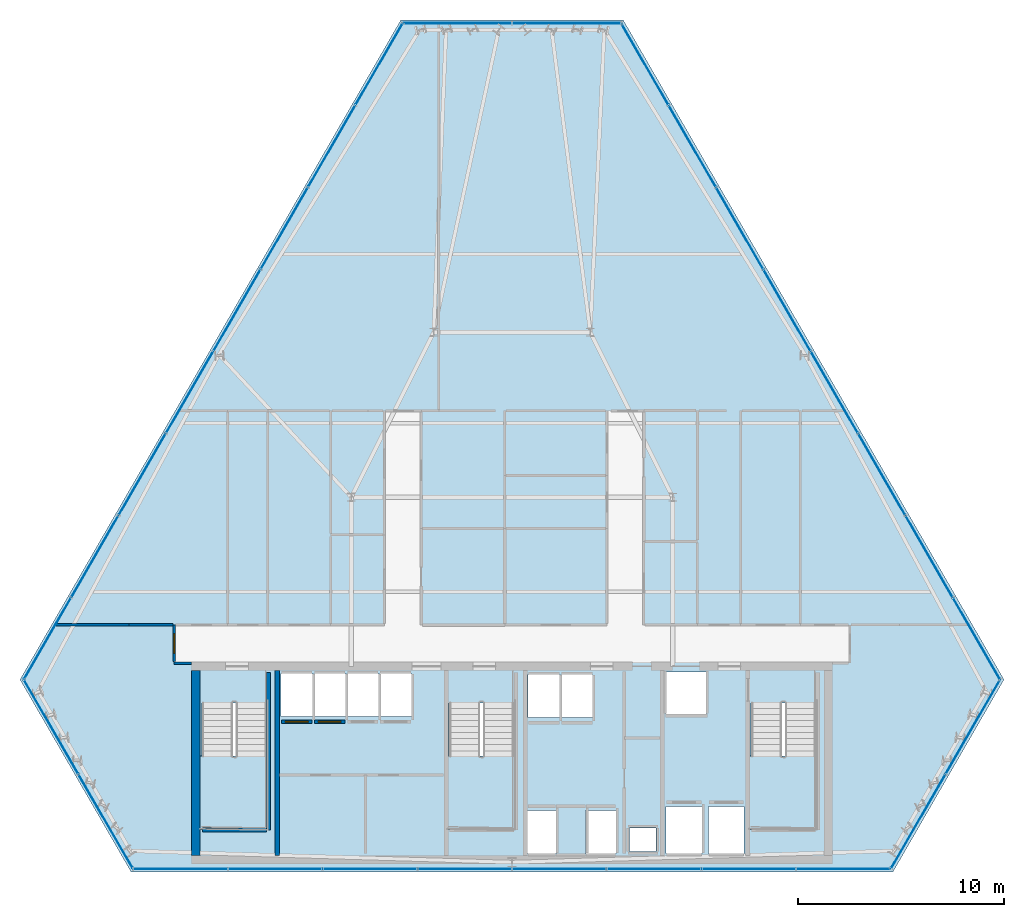
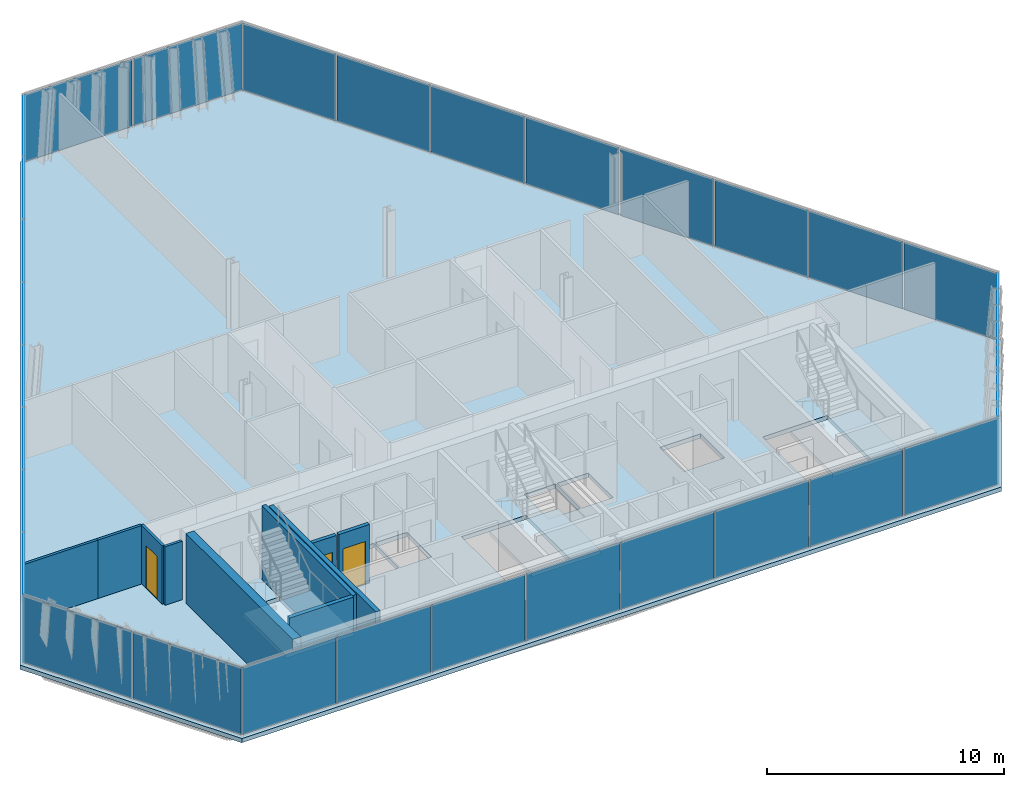
# One storey, part 26 of 33: 30 plates, 10 walls, 4 slabs, 3 doors, 3 openings, 9 elements without a shape of their own.
"""IFC4 building model written with IfcOpenShell, lengths in metres."""

from ifc_helpers import new_model, si_unit, direction, frame, frame_2d, origin, origin_2d, place, context, subcontext, project, spatial, polyline, rectangle, outline, extrude, material, layer, layer_set, type_object, element, fill, aggregate, save


model = new_model("IFC4")

# Units and contexts
model_context = context("Model", 3, precision=1e-05, world=origin(), true_north=direction((0.0, 1.0)))
body_context = subcontext(model_context, "Body", "Model", "MODEL_VIEW")
ifc_project = project(units=[si_unit("LENGTHUNIT", "METRE"), si_unit("AREAUNIT", "SQUARE_METRE"), si_unit("VOLUMEUNIT", "CUBIC_METRE"), si_unit("PLANEANGLEUNIT", "RADIAN"), si_unit("MASSUNIT", "GRAM", prefix="KILO")], contexts=[model_context])

# Site, building, storey
site_placement = place(None, origin())
site = spatial("IfcSite", under=ifc_project, at=site_placement, CompositionType="ELEMENT")
building_placement = place(site_placement, origin())
building = spatial("IfcBuilding", under=site, at=building_placement, Name="Ndaravel Arena Tower", CompositionType="ELEMENT")
storey_placement = place(building_placement, frame((0.0, 0.0, 168.800048828125)))
storey = spatial("IfcBuildingStorey", under=building, at=storey_placement, Name="L40", CompositionType="ELEMENT", Elevation=168.800048828125)

# Curtain wall, plate
ifc_material_1 = material(Name="Aluminium", Category="aluminium")
ifc_layer_1 = layer(ifc_material_1, 0.179931640625)
ifc_layer_set_1 = layer_set([ifc_layer_1], Name="Aluminium")
curtain_wall_type_1 = type_object("IfcCurtainWallType", Name="CW-SYS-01", PredefinedType="NOTDEFINED", material=ifc_layer_set_1)
curtain_wall_1_placement = place(storey_placement, origin())
curtain_wall_1 = element("IfcCurtainWall", 1, at=curtain_wall_1_placement, inside=storey, type_object=curtain_wall_type_1, Name="L40 Faceted Crystal Curtain Wall CW-L40-E02", PredefinedType="NOTDEFINED")
ifc_material_2 = material(Name="Glazing", Category="glass")
ifc_layer_2 = layer(ifc_material_2, 0.035888671875)
ifc_layer_set_2 = layer_set([ifc_layer_2], Name="Glazing")
plate_type_1 = type_object("IfcPlateType", Name="PLT-CW-OPVENT", PredefinedType="CURTAIN_PANEL", material=ifc_layer_set_2)
plate_1_placement = place(storey_placement, frame((64.369140625, 12.05126953125, 0.06005859375), z_axis=(0.0, 0.0, 1.0), x_axis=(0.5, 0.866025403784, 0.0)))
plate_1 = element("IfcPlate", 2, at=plate_1_placement, type_object=plate_type_1, Name="CW-L40-E02 Operable Vent Sash Panel 02", PredefinedType="CURTAIN_PANEL", context=body_context, shape_type="SweptSolid", body=[
    extrude(rectangle(XDim=5.224853515625, YDim=0.035888671875, at=origin_2d()), origin(), (0.0, 0.0, 1.0), 3.4599609375),
])

curtain_wall_2_placement = place(storey_placement, origin())
curtain_wall_2 = element("IfcCurtainWall", 3, at=curtain_wall_2_placement, inside=storey, type_object=curtain_wall_type_1, Name="L40 Faceted Crystal Curtain Wall CW-L40-E04", PredefinedType="NOTDEFINED")
plate_2_placement = place(storey_placement, frame((39.347412109375, 46.20166015625, 0.06005859375), z_axis=(0.0, 0.0, 1.0), x_axis=(-1.0, 0.0, 0.0)))
plate_2 = element("IfcPlate", 4, at=plate_2_placement, type_object=plate_type_1, Name="CW-L40-E04 Operable Vent Sash Panel 02", PredefinedType="CURTAIN_PANEL", context=body_context, shape_type="SweptSolid", body=[
    extrude(rectangle(XDim=5.224853515625, YDim=0.035888671875, at=origin_2d()), origin(), (0.0, 0.0, 1.0), 3.4599609375),
])

ifc_material_3 = material(Name="Aluminium", Category="aluminium")
ifc_layer_3 = layer(ifc_material_3, 0.179931640625)
ifc_layer_set_3 = layer_set([ifc_layer_3], Name="Aluminium")
curtain_wall_type_2 = type_object("IfcCurtainWallType", Name="CW-SYS-02", PredefinedType="NOTDEFINED", material=ifc_layer_set_3)
curtain_wall_3_placement = place(storey_placement, origin())
curtain_wall_3 = element("IfcCurtainWall", 5, at=curtain_wall_3_placement, inside=storey, type_object=curtain_wall_type_2, Name="L40 Faceted Crystal Curtain Wall CW-L40-E06", PredefinedType="NOTDEFINED")
plate_3_placement = place(storey_placement, frame((22.283203125, 7.45703125, 0.06005859375), z_axis=(0.0, 0.0, 1.0), x_axis=(0.5, -0.866025403784, 0.0)))
plate_3 = element("IfcPlate", 6, at=plate_3_placement, type_object=plate_type_1, Name="CW-L40-E06 Operable Vent Sash Panel 02", PredefinedType="CURTAIN_PANEL", context=body_context, shape_type="SweptSolid", body=[
    extrude(rectangle(XDim=5.224853515625, YDim=0.035888671875, at=origin_2d()), origin(), (0.0, 0.0, 1.0), 3.4599609375),
])

# Plate
ifc_material_4 = material(Name="Glazing", Category="glass")
ifc_layer_4 = layer(ifc_material_4, 0.031982421875)
ifc_layer_set_4 = layer_set([ifc_layer_4], Name="Glazing")
plate_type_2 = type_object("IfcPlateType", Name="PLT-GLZ-FRIT35", PredefinedType="CURTAIN_PANEL", material=ifc_layer_set_4)
plate_4_placement = place(storey_placement, frame((61.716796875, 7.45703125, 0.06005859375), z_axis=(0.0, 0.0, 1.0), x_axis=(0.5, 0.866025403784, 0.0)))
plate_4 = element("IfcPlate", 7, at=plate_4_placement, type_object=plate_type_2, Name="CW-L40-E02 Vision Glass Panel 01", PredefinedType="CURTAIN_PANEL", context=body_context, shape_type="SweptSolid", body=[
    extrude(rectangle(XDim=5.224853515625, YDim=0.035888671875, at=origin_2d()), origin(), (0.0, 0.0, 1.0), 3.4599609375),
])

aggregate(curtain_wall_1, [plate_4, plate_1])

plate_5_placement = place(storey_placement, frame((44.652587890625, 46.20166015625, 0.06005859375), z_axis=(0.0, 0.0, 1.0), x_axis=(-1.0, 0.0, 0.0)))
plate_5 = element("IfcPlate", 8, at=plate_5_placement, type_object=plate_type_2, Name="CW-L40-E04 Vision Glass Panel 01", PredefinedType="CURTAIN_PANEL", context=body_context, shape_type="SweptSolid", body=[
    extrude(rectangle(XDim=5.224853515625, YDim=0.035888671875, at=origin_2d()), origin(), (0.0, 0.0, 1.0), 3.4599609375),
])

aggregate(curtain_wall_2, [plate_5, plate_2])

ifc_material_5 = material(Name="Glazing", Category="glass")
ifc_layer_5 = layer(ifc_material_5, 0.035888671875)
ifc_layer_set_5 = layer_set([ifc_layer_5], Name="Glazing")
plate_type_3 = type_object("IfcPlateType", Name="PLT-GLZ-FRIT55", PredefinedType="CURTAIN_PANEL", material=ifc_layer_set_5)
plate_6_placement = place(storey_placement, frame((19.630859375, 12.05126953125, 0.06005859375), z_axis=(0.0, 0.0, 1.0), x_axis=(0.5, -0.866025403784, 0.0)))
plate_6 = element("IfcPlate", 9, at=plate_6_placement, type_object=plate_type_3, Name="CW-L40-E06 Vision Glass Panel 01", PredefinedType="CURTAIN_PANEL", context=body_context, shape_type="SweptSolid", body=[
    extrude(rectangle(XDim=5.224853515625, YDim=0.035888671875, at=origin_2d()), origin(), (0.0, 0.0, 1.0), 3.4599609375),
])

aggregate(curtain_wall_3, [plate_6, plate_3])

# Curtain wall, plates
ifc_material_6 = material(Name="Aluminium", Category="aluminium")
ifc_layer_6 = layer(ifc_material_6, 0.179931640625)
ifc_layer_set_6 = layer_set([ifc_layer_6], Name="Aluminium")
curtain_wall_type_3 = type_object("IfcCurtainWallType", Name="CW-SYS-03", PredefinedType="NOTDEFINED", material=ifc_layer_set_6)
curtain_wall_4_placement = place(storey_placement, origin())
curtain_wall_4 = element("IfcCurtainWall", 10, at=curtain_wall_4_placement, inside=storey, type_object=curtain_wall_type_3, Name="L40 Faceted Crystal Curtain Wall CW-L40-E01", PredefinedType="NOTDEFINED")
ifc_material_7 = material(Name="Glazing", Category="glass")
ifc_layer_7 = layer(ifc_material_7, 0.0400390625)
ifc_layer_set_7 = layer_set([ifc_layer_7], Name="Glazing")
plate_type_4 = type_object("IfcPlateType", Name="PLT-GLZ-LOWIRON", PredefinedType="CURTAIN_PANEL", material=ifc_layer_set_7)
plate_7_placement = place(storey_placement, frame((25.908203125, 5.159912109375, 0.06005859375), z_axis=(0.0, 0.0, 1.0), x_axis=(1.0, 0.0, 0.0)))
plate_7 = element("IfcPlate", 11, at=plate_7_placement, type_object=plate_type_4, Name="CW-L40-E01 Vision Glass Panel 01", PredefinedType="CURTAIN_PANEL", context=body_context, shape_type="SweptSolid", body=[
    extrude(rectangle(XDim=4.517578125, YDim=0.035888671875, at=origin_2d()), origin(), (0.0, 0.0, 1.0), 3.4599609375),
])
plate_8_placement = place(storey_placement, frame((30.505859375, 5.159912109375, 0.06005859375), z_axis=(0.0, 0.0, 1.0), x_axis=(1.0, 0.0, 0.0)))
plate_8 = element("IfcPlate", 12, at=plate_8_placement, type_object=plate_type_4, Name="CW-L40-E01 Vision Glass Panel 02", PredefinedType="CURTAIN_PANEL", context=body_context, shape_type="SweptSolid", body=[
    extrude(rectangle(XDim=4.517578125, YDim=0.035888671875, at=origin_2d()), origin(), (0.0, 0.0, 1.0), 3.4599609375),
])
plate_9_placement = place(storey_placement, frame((35.103515625, 5.159912109375, 0.06005859375), z_axis=(0.0, 0.0, 1.0), x_axis=(1.0, 0.0, 0.0)))
plate_9 = element("IfcPlate", 13, at=plate_9_placement, type_object=plate_type_4, Name="CW-L40-E01 Vision Glass Panel 03", PredefinedType="CURTAIN_PANEL", context=body_context, shape_type="SweptSolid", body=[
    extrude(rectangle(XDim=4.517578125, YDim=0.035888671875, at=origin_2d()), origin(), (0.0, 0.0, 1.0), 3.4599609375),
])
plate_10_placement = place(storey_placement, frame((39.701171875, 5.159912109375, 0.06005859375), z_axis=(0.0, 0.0, 1.0), x_axis=(1.0, 0.0, 0.0)))
plate_10 = element("IfcPlate", 14, at=plate_10_placement, type_object=plate_type_4, Name="CW-L40-E01 Vision Glass Panel 04", PredefinedType="CURTAIN_PANEL", context=body_context, shape_type="SweptSolid", body=[
    extrude(rectangle(XDim=4.517578125, YDim=0.035888671875, at=origin_2d()), origin(), (0.0, 0.0, 1.0), 3.4599609375),
])
plate_11_placement = place(storey_placement, frame((44.298828125, 5.159912109375, 0.06005859375), z_axis=(0.0, 0.0, 1.0), x_axis=(1.0, 0.0, 0.0)))
plate_11 = element("IfcPlate", 15, at=plate_11_placement, type_object=plate_type_4, Name="CW-L40-E01 Vision Glass Panel 05", PredefinedType="CURTAIN_PANEL", context=body_context, shape_type="SweptSolid", body=[
    extrude(rectangle(XDim=4.517578125, YDim=0.035888671875, at=origin_2d()), origin(), (0.0, 0.0, 1.0), 3.4599609375),
])
plate_12_placement = place(storey_placement, frame((48.896484375, 5.159912109375, 0.06005859375), z_axis=(0.0, 0.0, 1.0), x_axis=(1.0, 0.0, 0.0)))
plate_12 = element("IfcPlate", 16, at=plate_12_placement, type_object=plate_type_4, Name="CW-L40-E01 Vision Glass Panel 06", PredefinedType="CURTAIN_PANEL", context=body_context, shape_type="SweptSolid", body=[
    extrude(rectangle(XDim=4.517578125, YDim=0.035888671875, at=origin_2d()), origin(), (0.0, 0.0, 1.0), 3.4599609375),
])
plate_13_placement = place(storey_placement, frame((53.494140625, 5.159912109375, 0.06005859375), z_axis=(0.0, 0.0, 1.0), x_axis=(1.0, 0.0, 0.0)))
plate_13 = element("IfcPlate", 17, at=plate_13_placement, type_object=plate_type_4, Name="CW-L40-E01 Vision Glass Panel 07", PredefinedType="CURTAIN_PANEL", context=body_context, shape_type="SweptSolid", body=[
    extrude(rectangle(XDim=4.517578125, YDim=0.035888671875, at=origin_2d()), origin(), (0.0, 0.0, 1.0), 3.4599609375),
])
plate_14_placement = place(storey_placement, frame((58.091796875, 5.159912109375, 0.06005859375), z_axis=(0.0, 0.0, 1.0), x_axis=(1.0, 0.0, 0.0)))
plate_14 = element("IfcPlate", 18, at=plate_14_placement, type_object=plate_type_4, Name="CW-L40-E01 Vision Glass Panel 08", PredefinedType="CURTAIN_PANEL", context=body_context, shape_type="SweptSolid", body=[
    extrude(rectangle(XDim=4.517578125, YDim=0.035888671875, at=origin_2d()), origin(), (0.0, 0.0, 1.0), 3.4599609375),
])
aggregate(curtain_wall_4, [plate_7, plate_8, plate_9, plate_10, plate_11, plate_12, plate_13, plate_14])

curtain_wall_5_placement = place(storey_placement, origin())
curtain_wall_5 = element("IfcCurtainWall", 19, at=curtain_wall_5_placement, inside=storey, type_object=curtain_wall_type_3, Name="L40 Faceted Crystal Curtain Wall CW-L40-E03", PredefinedType="NOTDEFINED")
plate_15_placement = place(storey_placement, frame((64.5458984375, 16.339111328125, 0.06005859375), z_axis=(0.0, 0.0, 1.0), x_axis=(-0.5, 0.866025403784, 0.0)))
plate_15 = element("IfcPlate", 20, at=plate_15_placement, type_object=plate_type_4, Name="CW-L40-E03 Vision Glass Panel 01", PredefinedType="CURTAIN_PANEL", context=body_context, shape_type="SweptSolid", body=[
    extrude(rectangle(XDim=4.517578125, YDim=0.035888671875, at=origin_2d()), origin(), (0.0, 0.0, 1.0), 3.4599609375),
])
plate_16_placement = place(storey_placement, frame((62.247314453125, 20.32080078125, 0.06005859375), z_axis=(0.0, 0.0, 1.0), x_axis=(-0.5, 0.866025403784, 0.0)))
plate_16 = element("IfcPlate", 21, at=plate_16_placement, type_object=plate_type_4, Name="CW-L40-E03 Vision Glass Panel 02", PredefinedType="CURTAIN_PANEL", context=body_context, shape_type="SweptSolid", body=[
    extrude(rectangle(XDim=4.517578125, YDim=0.035888671875, at=origin_2d()), origin(), (0.0, 0.0, 1.0), 3.4599609375),
])
plate_17_placement = place(storey_placement, frame((59.948486328125, 24.302490234375, 0.06005859375), z_axis=(0.0, 0.0, 1.0), x_axis=(-0.5, 0.866025403784, 0.0)))
plate_17 = element("IfcPlate", 22, at=plate_17_placement, type_object=plate_type_4, Name="CW-L40-E03 Vision Glass Panel 03", PredefinedType="CURTAIN_PANEL", context=body_context, shape_type="SweptSolid", body=[
    extrude(rectangle(XDim=4.517578125, YDim=0.035888671875, at=origin_2d()), origin(), (0.0, 0.0, 1.0), 3.4599609375),
])
plate_18_placement = place(storey_placement, frame((57.649658203125, 28.2841796875, 0.06005859375), z_axis=(0.0, 0.0, 1.0), x_axis=(-0.5, 0.866025403784, 0.0)))
plate_18 = element("IfcPlate", 23, at=plate_18_placement, type_object=plate_type_4, Name="CW-L40-E03 Vision Glass Panel 04", PredefinedType="CURTAIN_PANEL", context=body_context, shape_type="SweptSolid", body=[
    extrude(rectangle(XDim=4.517578125, YDim=0.035888671875, at=origin_2d()), origin(), (0.0, 0.0, 1.0), 3.4599609375),
])
plate_19_placement = place(storey_placement, frame((55.3505859375, 32.265869140625, 0.06005859375), z_axis=(0.0, 0.0, 1.0), x_axis=(-0.5, 0.866025403784, 0.0)))
plate_19 = element("IfcPlate", 24, at=plate_19_placement, type_object=plate_type_4, Name="CW-L40-E03 Vision Glass Panel 05", PredefinedType="CURTAIN_PANEL", context=body_context, shape_type="SweptSolid", body=[
    extrude(rectangle(XDim=4.517578125, YDim=0.035888671875, at=origin_2d()), origin(), (0.0, 0.0, 1.0), 3.4599609375),
])
plate_20_placement = place(storey_placement, frame((53.052001953125, 36.24755859375, 0.06005859375), z_axis=(0.0, 0.0, 1.0), x_axis=(-0.5, 0.866025403784, 0.0)))
plate_20 = element("IfcPlate", 25, at=plate_20_placement, type_object=plate_type_4, Name="CW-L40-E03 Vision Glass Panel 06", PredefinedType="CURTAIN_PANEL", context=body_context, shape_type="SweptSolid", body=[
    extrude(rectangle(XDim=4.517578125, YDim=0.035888671875, at=origin_2d()), origin(), (0.0, 0.0, 1.0), 3.4599609375),
])
plate_21_placement = place(storey_placement, frame((50.753173828125, 40.229248046875, 0.06005859375), z_axis=(0.0, 0.0, 1.0), x_axis=(-0.5, 0.866025403784, 0.0)))
plate_21 = element("IfcPlate", 26, at=plate_21_placement, type_object=plate_type_4, Name="CW-L40-E03 Vision Glass Panel 07", PredefinedType="CURTAIN_PANEL", context=body_context, shape_type="SweptSolid", body=[
    extrude(rectangle(XDim=4.517578125, YDim=0.035888671875, at=origin_2d()), origin(), (0.0, 0.0, 1.0), 3.4599609375),
])
plate_22_placement = place(storey_placement, frame((48.454345703125, 44.2109375, 0.06005859375), z_axis=(0.0, 0.0, 1.0), x_axis=(-0.5, 0.866025403784, 0.0)))
plate_22 = element("IfcPlate", 27, at=plate_22_placement, type_object=plate_type_4, Name="CW-L40-E03 Vision Glass Panel 08", PredefinedType="CURTAIN_PANEL", context=body_context, shape_type="SweptSolid", body=[
    extrude(rectangle(XDim=4.517578125, YDim=0.035888671875, at=origin_2d()), origin(), (0.0, 0.0, 1.0), 3.4599609375),
])
aggregate(curtain_wall_5, [plate_15, plate_16, plate_17, plate_18, plate_19, plate_20, plate_21, plate_22])

curtain_wall_6_placement = place(storey_placement, origin())
curtain_wall_6 = element("IfcCurtainWall", 28, at=curtain_wall_6_placement, inside=storey, type_object=curtain_wall_type_3, Name="L40 Faceted Crystal Curtain Wall CW-L40-E05", PredefinedType="NOTDEFINED")
plate_23_placement = place(storey_placement, frame((35.545654296875, 44.2109375, 0.06005859375), z_axis=(0.0, 0.0, 1.0), x_axis=(-0.5, -0.866025403784, 0.0)))
plate_23 = element("IfcPlate", 29, at=plate_23_placement, type_object=plate_type_4, Name="CW-L40-E05 Vision Glass Panel 01", PredefinedType="CURTAIN_PANEL", context=body_context, shape_type="SweptSolid", body=[
    extrude(rectangle(XDim=4.517578125, YDim=0.035888671875, at=origin_2d()), origin(), (0.0, 0.0, 1.0), 3.4599609375),
])
plate_24_placement = place(storey_placement, frame((33.246826171875, 40.229248046875, 0.06005859375), z_axis=(0.0, 0.0, 1.0), x_axis=(-0.5, -0.866025403784, 0.0)))
plate_24 = element("IfcPlate", 30, at=plate_24_placement, type_object=plate_type_4, Name="CW-L40-E05 Vision Glass Panel 02", PredefinedType="CURTAIN_PANEL", context=body_context, shape_type="SweptSolid", body=[
    extrude(rectangle(XDim=4.517578125, YDim=0.035888671875, at=origin_2d()), origin(), (0.0, 0.0, 1.0), 3.4599609375),
])
plate_25_placement = place(storey_placement, frame((30.947998046875, 36.24755859375, 0.06005859375), z_axis=(0.0, 0.0, 1.0), x_axis=(-0.5, -0.866025403784, 0.0)))
plate_25 = element("IfcPlate", 31, at=plate_25_placement, type_object=plate_type_4, Name="CW-L40-E05 Vision Glass Panel 03", PredefinedType="CURTAIN_PANEL", context=body_context, shape_type="SweptSolid", body=[
    extrude(rectangle(XDim=4.517578125, YDim=0.035888671875, at=origin_2d()), origin(), (0.0, 0.0, 1.0), 3.4599609375),
])
plate_26_placement = place(storey_placement, frame((28.6494140625, 32.265869140625, 0.06005859375), z_axis=(0.0, 0.0, 1.0), x_axis=(-0.5, -0.866025403784, 0.0)))
plate_26 = element("IfcPlate", 32, at=plate_26_placement, type_object=plate_type_4, Name="CW-L40-E05 Vision Glass Panel 04", PredefinedType="CURTAIN_PANEL", context=body_context, shape_type="SweptSolid", body=[
    extrude(rectangle(XDim=4.517578125, YDim=0.035888671875, at=origin_2d()), origin(), (0.0, 0.0, 1.0), 3.4599609375),
])
plate_27_placement = place(storey_placement, frame((26.350341796875, 28.2841796875, 0.06005859375), z_axis=(0.0, 0.0, 1.0), x_axis=(-0.5, -0.866025403784, 0.0)))
plate_27 = element("IfcPlate", 33, at=plate_27_placement, type_object=plate_type_4, Name="CW-L40-E05 Vision Glass Panel 05", PredefinedType="CURTAIN_PANEL", context=body_context, shape_type="SweptSolid", body=[
    extrude(rectangle(XDim=4.517578125, YDim=0.035888671875, at=origin_2d()), origin(), (0.0, 0.0, 1.0), 3.4599609375),
])
plate_28_placement = place(storey_placement, frame((24.051513671875, 24.302490234375, 0.06005859375), z_axis=(0.0, 0.0, 1.0), x_axis=(-0.5, -0.866025403784, 0.0)))
plate_28 = element("IfcPlate", 34, at=plate_28_placement, type_object=plate_type_4, Name="CW-L40-E05 Vision Glass Panel 06", PredefinedType="CURTAIN_PANEL", context=body_context, shape_type="SweptSolid", body=[
    extrude(rectangle(XDim=4.517578125, YDim=0.035888671875, at=origin_2d()), origin(), (0.0, 0.0, 1.0), 3.4599609375),
])
plate_29_placement = place(storey_placement, frame((21.752685546875, 20.32080078125, 0.06005859375), z_axis=(0.0, 0.0, 1.0), x_axis=(-0.5, -0.866025403784, 0.0)))
plate_29 = element("IfcPlate", 35, at=plate_29_placement, type_object=plate_type_4, Name="CW-L40-E05 Vision Glass Panel 07", PredefinedType="CURTAIN_PANEL", context=body_context, shape_type="SweptSolid", body=[
    extrude(rectangle(XDim=4.517578125, YDim=0.035888671875, at=origin_2d()), origin(), (0.0, 0.0, 1.0), 3.4599609375),
])
plate_30_placement = place(storey_placement, frame((19.4541015625, 16.339111328125, 0.06005859375), z_axis=(0.0, 0.0, 1.0), x_axis=(-0.5, -0.866025403784, 0.0)))
plate_30 = element("IfcPlate", 36, at=plate_30_placement, type_object=plate_type_4, Name="CW-L40-E05 Vision Glass Panel 08", PredefinedType="CURTAIN_PANEL", context=body_context, shape_type="SweptSolid", body=[
    extrude(rectangle(XDim=4.517578125, YDim=0.035888671875, at=origin_2d()), origin(), (0.0, 0.0, 1.0), 3.4599609375),
])
aggregate(curtain_wall_6, [plate_23, plate_24, plate_25, plate_26, plate_27, plate_28, plate_29, plate_30])

# Stair, slab
ifc_material_8 = material(Name="Concrete C40/50", Category="concrete")
stair_type = type_object("IfcStairType", Name="STAIR-CORE-HT", PredefinedType="HALF_TURN_STAIR", material=ifc_material_8)
stair_1_placement = place(storey_placement, origin())
stair_1 = element("IfcStair", 37, at=stair_1_placement, inside=storey, type_object=stair_type, Name="L40 ST-1", PredefinedType="HALF_TURN_STAIR")
ifc_material_9 = material(Name="Concrete C40/50", Category="concrete")
ifc_layer_8 = layer(ifc_material_9, 0.199951171875)
ifc_layer_set_8 = layer_set([ifc_layer_8], Name="Concrete C40/50")
slab_type_1 = type_object("IfcSlabType", Name="SLAB-STAIR-LANDING", PredefinedType="LANDING", material=ifc_layer_set_8)
slab_1_placement = place(storey_placement, frame((0.0, 0.0, 1.699951171875)))
slab_1 = element("IfcSlab", 38, at=slab_1_placement, type_object=slab_type_1, Name="ST-1 landing 1", PredefinedType="LANDING", context=body_context, shape_type="SweptSolid", body=[
    extrude(outline(polyline([(26.81005859375, 10.6298828125), (26.81005859375, 7.070068359375), (30.169921875, 7.070068359375), (30.169921875, 10.6298828125), (26.81005859375, 10.6298828125)])), origin(), (0.0, 0.0, 1.0), 0.199951171875),
])
aggregate(stair_1, [slab_1])

stair_2_placement = place(storey_placement, origin())
stair_2 = element("IfcStair", 39, at=stair_2_placement, inside=storey, type_object=stair_type, Name="L40 ST-2", PredefinedType="HALF_TURN_STAIR")
slab_2_placement = place(storey_placement, frame((0.0, 0.0, 1.699951171875)))
slab_2 = element("IfcSlab", 40, at=slab_2_placement, type_object=slab_type_1, Name="ST-2 landing 1", PredefinedType="LANDING", context=body_context, shape_type="SweptSolid", body=[
    extrude(outline(polyline([(38.81005859375, 10.6298828125), (38.81005859375, 7.070068359375), (42.169921875, 7.070068359375), (42.169921875, 10.6298828125), (38.81005859375, 10.6298828125)])), origin(), (0.0, 0.0, 1.0), 0.199951171875),
])
aggregate(stair_2, [slab_2])

stair_3_placement = place(storey_placement, origin())
stair_3 = element("IfcStair", 41, at=stair_3_placement, inside=storey, type_object=stair_type, Name="L40 ST-3", PredefinedType="HALF_TURN_STAIR")
slab_3_placement = place(storey_placement, frame((0.0, 0.0, 1.699951171875)))
slab_3 = element("IfcSlab", 42, at=slab_3_placement, type_object=slab_type_1, Name="ST-3 landing 1", PredefinedType="LANDING", context=body_context, shape_type="SweptSolid", body=[
    extrude(outline(polyline([(53.4599609375, 10.6298828125), (53.4599609375, 7.070068359375), (56.820068359375, 7.070068359375), (56.820068359375, 10.6298828125), (53.4599609375, 10.6298828125)])), origin(), (0.0, 0.0, 1.0), 0.199951171875),
])
aggregate(stair_3, [slab_3])

# Slab
ifc_material_10 = material(Name="Concrete C40/50", Category="concrete")
ifc_layer_9 = layer(ifc_material_10, 0.219970703125)
ifc_layer_set_9 = layer_set([ifc_layer_9], Name="Concrete C40/50")
slab_type_2 = type_object("IfcSlabType", Name="SLAB-TWR-220", PredefinedType="FLOOR", material=ifc_layer_set_9)
slab_4_placement = place(storey_placement, frame((0.0, 0.0, -0.219970703125)))
element("IfcSlab", 43, at=slab_4_placement, inside=storey, type_object=slab_type_2, Name="L40 Structural Floor Slab", PredefinedType="FLOOR", context=body_context, shape_type="SweptSolid", body=[
    extrude(outline(polyline([(18.119873046875, 14.348388671875), (23.51708984375, 5.0), (60.48291015625, 5.0), (65.880126953125, 14.348388671875), (47.397216796875, 46.36181640625), (36.602783203125, 46.36181640625), (18.119873046875, 14.348388671875)]), holes=[polyline([(26.949951171875, 13.215087890625), (26.949951171875, 7.14990234375), (30.090087890625, 7.14990234375), (30.090087890625, 13.215087890625), (26.949951171875, 13.215087890625)]), polyline([(38.949951171875, 13.215087890625), (38.949951171875, 7.14990234375), (42.090087890625, 7.14990234375), (42.090087890625, 13.215087890625), (38.949951171875, 13.215087890625)]), polyline([(53.60009765625, 13.215087890625), (53.60009765625, 7.14990234375), (56.739990234375, 7.14990234375), (56.739990234375, 13.215087890625), (53.60009765625, 13.215087890625)]), polyline([(30.784912109375, 12.56005859375), (32.31494140625, 12.56005859375), (32.31494140625, 14.639892578125), (30.784912109375, 14.639892578125), (30.784912109375, 12.56005859375)]), polyline([(32.385009765625, 12.56005859375), (33.9150390625, 12.56005859375), (33.9150390625, 14.639892578125), (32.385009765625, 14.639892578125), (32.385009765625, 12.56005859375)]), polyline([(33.985107421875, 12.56005859375), (35.514892578125, 12.56005859375), (35.514892578125, 14.639892578125), (33.985107421875, 14.639892578125), (33.985107421875, 12.56005859375)]), polyline([(35.5849609375, 12.56005859375), (37.114990234375, 12.56005859375), (37.114990234375, 14.639892578125), (35.5849609375, 14.639892578125), (35.5849609375, 12.56005859375)]), polyline([(42.659912109375, 5.909912109375), (44.139892578125, 5.909912109375), (44.139892578125, 7.989990234375), (42.659912109375, 7.989990234375), (42.659912109375, 5.909912109375)]), polyline([(45.56005859375, 5.909912109375), (47.0400390625, 5.909912109375), (47.0400390625, 7.989990234375), (45.56005859375, 7.989990234375), (45.56005859375, 5.909912109375)]), polyline([(42.784912109375, 12.510009765625), (44.31494140625, 12.510009765625), (44.31494140625, 14.590087890625), (42.784912109375, 14.590087890625), (42.784912109375, 12.510009765625)]), polyline([(44.385009765625, 12.510009765625), (45.9150390625, 12.510009765625), (45.9150390625, 14.590087890625), (44.385009765625, 14.590087890625), (44.385009765625, 12.510009765625)]), polyline([(49.485107421875, 5.909912109375), (51.215087890625, 5.909912109375), (51.215087890625, 8.18994140625), (49.485107421875, 8.18994140625), (49.485107421875, 5.909912109375)]), polyline([(51.534912109375, 5.909912109375), (53.264892578125, 5.909912109375), (53.264892578125, 8.18994140625), (51.534912109375, 8.18994140625), (51.534912109375, 5.909912109375)]), polyline([(49.4599609375, 12.68505859375), (51.43994140625, 12.68505859375), (51.43994140625, 14.715087890625), (49.4599609375, 14.715087890625), (49.4599609375, 12.68505859375)]), polyline([(47.699951171875, 6.0), (49.0, 6.0), (49.0, 7.139892578125), (47.699951171875, 7.139892578125), (47.699951171875, 6.0)])]), origin(), (0.0, 0.0, 1.0), 0.219970703125),
])

# Walls
ifc_material_11 = material(Name="Concrete C50/60", Category="concrete")
ifc_layer_10 = layer(ifc_material_11, 0.219970703125)
ifc_layer_set_10 = layer_set([ifc_layer_10], Name="Concrete C50/60")
wall_type_1 = type_object("IfcWallType", Name="WALL-CORE-220", PredefinedType="SOLIDWALL", material=ifc_layer_set_10)
wall_1_placement = place(storey_placement, frame((30.60009765625, 5.800048828125, 0.0), z_axis=(0.0, 0.0, 1.0), x_axis=(0.0, 1.0, 0.0)))
element("IfcWall", 44, at=wall_1_placement, inside=storey, type_object=wall_type_1, Name="L40 Core Web Shear Wall 1", PredefinedType="SOLIDWALL", context=body_context, shape_type="SweptSolid", body=[
    extrude(rectangle(XDim=9.0, YDim=0.219970703125, at=frame_2d((4.5, 0.0))), origin(), (0.0, 0.0, 1.0), 3.579833984375),
])
ifc_material_12 = material(Name="Concrete C50/60", Category="concrete")
ifc_layer_11 = layer(ifc_material_12, 0.39990234375)
ifc_layer_set_11 = layer_set([ifc_layer_11], Name="Concrete C50/60")
wall_type_2 = type_object("IfcWallType", Name="WALL-CORE-400", PredefinedType="SOLIDWALL", material=ifc_layer_set_11)
wall_2_placement = place(storey_placement, frame((26.64990234375, 5.800048828125, 0.0), z_axis=(0.0, 0.0, 1.0), x_axis=(0.0, 1.0, 0.0)))
element("IfcWall", 45, at=wall_2_placement, inside=storey, type_object=wall_type_2, Name="L40 Core West Shear Wall", PredefinedType="SOLIDWALL", context=body_context, shape_type="SweptSolid", body=[
    extrude(rectangle(XDim=9.0, YDim=0.39990234375, at=frame_2d((4.5, 0.0))), origin(), (0.0, 0.0, 1.0), 3.579833984375),
])
ifc_material_13 = material(Name="Gypsum", Category="gypsum")
ifc_layer_12 = layer(ifc_material_13, 0.125)
ifc_layer_set_12 = layer_set([ifc_layer_12], Name="Gypsum")
wall_type_3 = type_object("IfcWallType", Name="WALL-PART-125", PredefinedType="PARTITIONING", material=ifc_layer_set_12)
wall_3_placement = place(storey_placement, frame((26.449951171875, 15.14990234375, 0.0), z_axis=(0.0, 0.0, 1.0), x_axis=(-1.0, 0.0, 0.0)))
element("IfcWall", 46, at=wall_3_placement, inside=storey, type_object=wall_type_3, Name="L40 Interior Partition 003", PredefinedType="PARTITIONING", context=body_context, shape_type="SweptSolid", body=[
    extrude(rectangle(XDim=0.849853515625, YDim=0.125, at=frame_2d((0.4248046875, 0.0))), origin(), (0.0, 0.0, 1.0), 3.010498046875),
])

# Wall, opening, door
wall_4_placement = place(storey_placement, frame((25.60009765625, 15.215087890625, 0.0), z_axis=(0.0, 0.0, 1.0), x_axis=(0.0, 1.0, 0.0)))
wall_4 = element("IfcWall", 47, at=wall_4_placement, inside=storey, type_object=wall_type_3, Name="L40 Interior Partition 004", PredefinedType="PARTITIONING", context=body_context, shape_type="SweptSolid", body=[
    extrude(rectangle(XDim=1.784912109375, YDim=0.125, at=frame_2d((0.892578125, 0.0))), origin(), (0.0, 0.0, 1.0), 3.010498046875),
])
opening_1_placement = place(wall_4_placement, frame((0.41748046875, 0.0, 0.0)))
opening_1 = element("IfcOpeningElement", 48, at=opening_1_placement, cuts=wall_4, Name="Opening ID-01", PredefinedType="OPENING", context=body_context, shape_type="SweptSolid", body=[
    extrude(rectangle(XDim=0.949951171875, YDim=2.199951171875, at=frame_2d((0.47509765625, 1.10009765625))), frame((0.0, 0.0625, 0.0), z_axis=(0.0, -1.0, 0.0), x_axis=(1.0, 0.0, 0.0)), (0.0, 0.0, 1.0), 0.125),
])
ifc_material_14 = material(Name="Timber", Category="wood")
door_type_1 = type_object("IfcDoorType", Name="DT-03-OFFICE-950", OperationType="SINGLE_SWING_LEFT", PredefinedType="DOOR", material=ifc_material_14)
door_1_placement = place(opening_1_placement, origin())
door_1 = element("IfcDoor", 49, at=door_1_placement, inside=storey, type_object=door_type_1, Name="L40 Executive Boardroom Door", OperationType="SINGLE_SWING_LEFT", OverallHeight=2.199951171875, OverallWidth=0.949951171875, PredefinedType="DOOR", context=body_context, shape_type="SweptSolid", body=[
    extrude(rectangle(XDim=0.949951171875, YDim=2.199951171875, at=frame_2d((0.47509765625, 1.10009765625))), frame((0.0, 0.02490234375, 0.0), z_axis=(0.0, -1.0, 0.0), x_axis=(1.0, 0.0, 0.0)), (0.0, 0.0, 1.0), 0.050048828125),
])
fill(opening_1, door_1)

# Walls
wall_5_placement = place(storey_placement, frame((19.83544921875, 17.0, 0.0), z_axis=(0.0, 0.0, 1.0), x_axis=(1.0, 0.0, 0.0)))
element("IfcWall", 50, at=wall_5_placement, inside=storey, type_object=wall_type_3, Name="L40 Interior Partition 026", PredefinedType="PARTITIONING", context=body_context, shape_type="SweptSolid", body=[
    extrude(rectangle(XDim=3.564453125, YDim=0.125, at=frame_2d((1.7822265625, 0.0))), origin(), (0.0, 0.0, 1.0), 3.010498046875),
])
wall_6_placement = place(storey_placement, frame((23.39990234375, 17.0, 0.0), z_axis=(0.0, 0.0, 1.0), x_axis=(1.0, 0.0, 0.0)))
element("IfcWall", 51, at=wall_6_placement, inside=storey, type_object=wall_type_3, Name="L40 Interior Partition 027", PredefinedType="PARTITIONING", context=body_context, shape_type="SweptSolid", body=[
    extrude(rectangle(XDim=2.135009765625, YDim=0.125, at=frame_2d((1.0673828125, 0.0))), origin(), (0.0, 0.0, 1.0), 3.010498046875),
])
ifc_material_15 = material(Name="Concrete C40/50", Category="concrete")
ifc_layer_13 = layer(ifc_material_15, 0.199951171875)
ifc_layer_set_13 = layer_set([ifc_layer_13], Name="Concrete C40/50")
wall_type_4 = type_object("IfcWallType", Name="WALL-SHAFT-200", PredefinedType="SOLIDWALL", material=ifc_layer_set_13)
wall_7_placement = place(storey_placement, frame((30.18994140625, 14.699951171875, 0.0), z_axis=(0.0, 0.0, 1.0), x_axis=(0.0, -1.0, 0.0)))
element("IfcWall", 52, at=wall_7_placement, inside=storey, type_object=wall_type_4, Name="L40 ST-1 Structural Shaft Wall Right", PredefinedType="SOLIDWALL", context=body_context, shape_type="SweptSolid", body=[
    extrude(rectangle(XDim=7.64990234375, YDim=0.199951171875, at=frame_2d((3.824951171875, 0.0))), origin(), (0.0, 0.0, 1.0), 3.800048828125),
])
wall_8_placement = place(storey_placement, frame((26.969970703125, 7.050048828125, 0.0), z_axis=(0.0, 0.0, 1.0), x_axis=(1.0, 0.0, 0.0)))
element("IfcWall", 53, at=wall_8_placement, inside=storey, type_object=wall_type_4, Name="L40 ST-1 Structural Shaft Wall Far", PredefinedType="SOLIDWALL", context=body_context, shape_type="SweptSolid", body=[
    extrude(rectangle(XDim=3.114990234375, YDim=0.199951171875, at=frame_2d((1.5576171875, 0.0))), origin(), (0.0, 0.0, 1.0), 3.800048828125),
])

# Wall, opening, door
wall_9_placement = place(storey_placement, frame((30.804931640625, 12.300048828125, 0.0), z_axis=(0.0, 0.0, 1.0), x_axis=(1.0, 0.0, 0.0)))
wall_9 = element("IfcWall", 54, at=wall_9_placement, inside=storey, type_object=wall_type_4, Name="L40 PL-M1 Shaft Landing Wall", PredefinedType="SOLIDWALL", context=body_context, shape_type="SweptSolid", body=[
    extrude(rectangle(XDim=1.489990234375, YDim=0.179931640625, at=frame_2d((0.7451171875, 0.0))), origin(), (0.0, 0.0, 1.0), 3.010498046875),
])
opening_2_placement = place(wall_9_placement, frame((0.195068359375, 0.0, 0.0)))
opening_2 = element("IfcOpeningElement", 55, at=opening_2_placement, cuts=wall_9, Name="Opening LD-01", PredefinedType="OPENING", context=body_context, shape_type="SweptSolid", body=[
    extrude(rectangle(XDim=1.10009765625, YDim=2.199951171875, at=frame_2d((0.550048828125, 1.10009765625))), frame((0.0, 0.08984375, 0.0), z_axis=(0.0, -1.0, 0.0), x_axis=(1.0, 0.0, 0.0)), (0.0, 0.0, 1.0), 0.179931640625),
])
ifc_material_16 = material(Name="Steel S355", Category="steel")
door_type_2 = type_object("IfcDoorType", Name="DT-06-LIFT-1100", OperationType="SLIDING_TO_LEFT", PredefinedType="DOOR", material=ifc_material_16)
door_2_placement = place(opening_2_placement, origin())
door_2 = element("IfcDoor", 56, at=door_2_placement, inside=storey, type_object=door_type_2, Name="L40 Lift PL-M1 Sliding Landing Door", OperationType="SLIDING_TO_LEFT", OverallHeight=2.199951171875, OverallWidth=1.10009765625, PredefinedType="DOOR", context=body_context, shape_type="SweptSolid", body=[
    extrude(rectangle(XDim=1.10009765625, YDim=2.199951171875, at=frame_2d((0.550048828125, 1.10009765625))), frame((0.0, 0.02490234375, 0.0), z_axis=(0.0, -1.0, 0.0), x_axis=(1.0, 0.0, 0.0)), (0.0, 0.0, 1.0), 0.050048828125),
])
fill(opening_2, door_2)

wall_10_placement = place(storey_placement, frame((32.405029296875, 12.300048828125, 0.0), z_axis=(0.0, 0.0, 1.0), x_axis=(1.0, 0.0, 0.0)))
wall_10 = element("IfcWall", 57, at=wall_10_placement, inside=storey, type_object=wall_type_4, Name="L40 PL-M2 Shaft Landing Wall", PredefinedType="SOLIDWALL", context=body_context, shape_type="SweptSolid", body=[
    extrude(rectangle(XDim=1.489990234375, YDim=0.179931640625, at=frame_2d((0.7451171875, 0.0))), origin(), (0.0, 0.0, 1.0), 3.010498046875),
])
opening_3_placement = place(wall_10_placement, frame((0.195068359375, 0.0, 0.0)))
opening_3 = element("IfcOpeningElement", 58, at=opening_3_placement, cuts=wall_10, Name="Opening LD-01", PredefinedType="OPENING", context=body_context, shape_type="SweptSolid", body=[
    extrude(rectangle(XDim=1.10009765625, YDim=2.199951171875, at=frame_2d((0.550048828125, 1.10009765625))), frame((0.0, 0.08984375, 0.0), z_axis=(0.0, -1.0, 0.0), x_axis=(1.0, 0.0, 0.0)), (0.0, 0.0, 1.0), 0.179931640625),
])
door_3_placement = place(opening_3_placement, origin())
door_3 = element("IfcDoor", 59, at=door_3_placement, inside=storey, type_object=door_type_2, Name="L40 Lift PL-M2 Sliding Landing Door", OperationType="SLIDING_TO_LEFT", OverallHeight=2.199951171875, OverallWidth=1.10009765625, PredefinedType="DOOR", context=body_context, shape_type="SweptSolid", body=[
    extrude(rectangle(XDim=1.10009765625, YDim=2.199951171875, at=frame_2d((0.550048828125, 1.10009765625))), frame((0.0, 0.02490234375, 0.0), z_axis=(0.0, -1.0, 0.0), x_axis=(1.0, 0.0, 0.0)), (0.0, 0.0, 1.0), 0.050048828125),
])
fill(opening_3, door_3)

save(model, "model.ifc")
